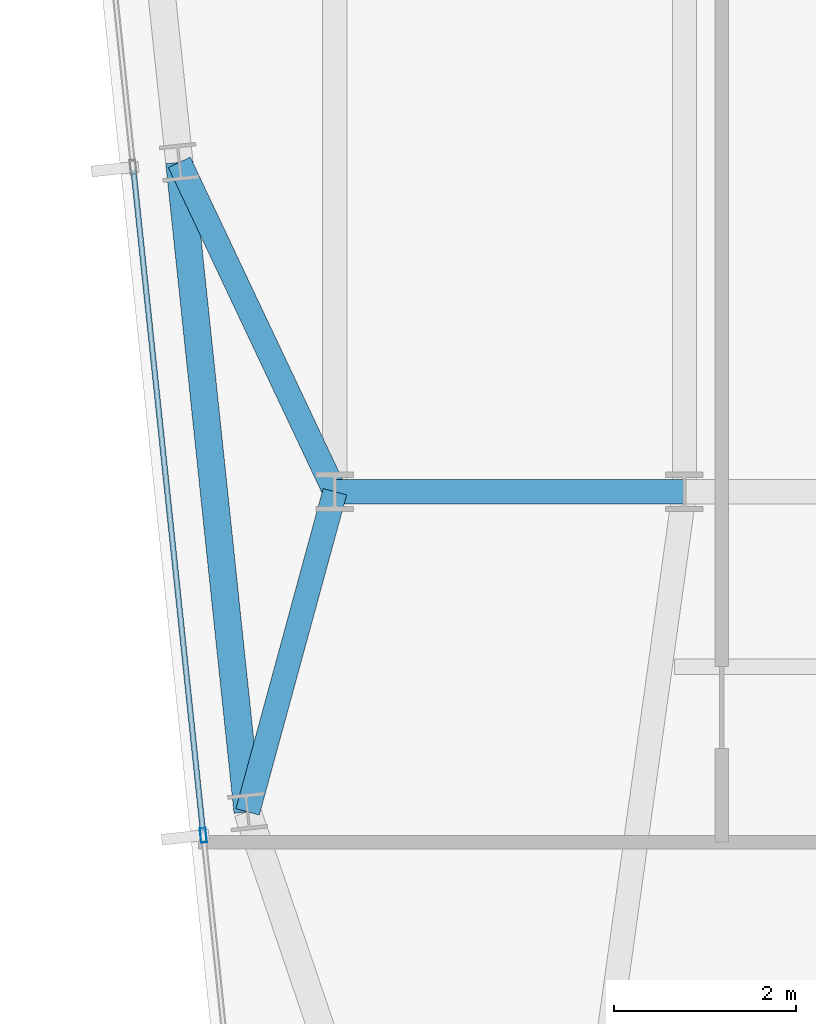
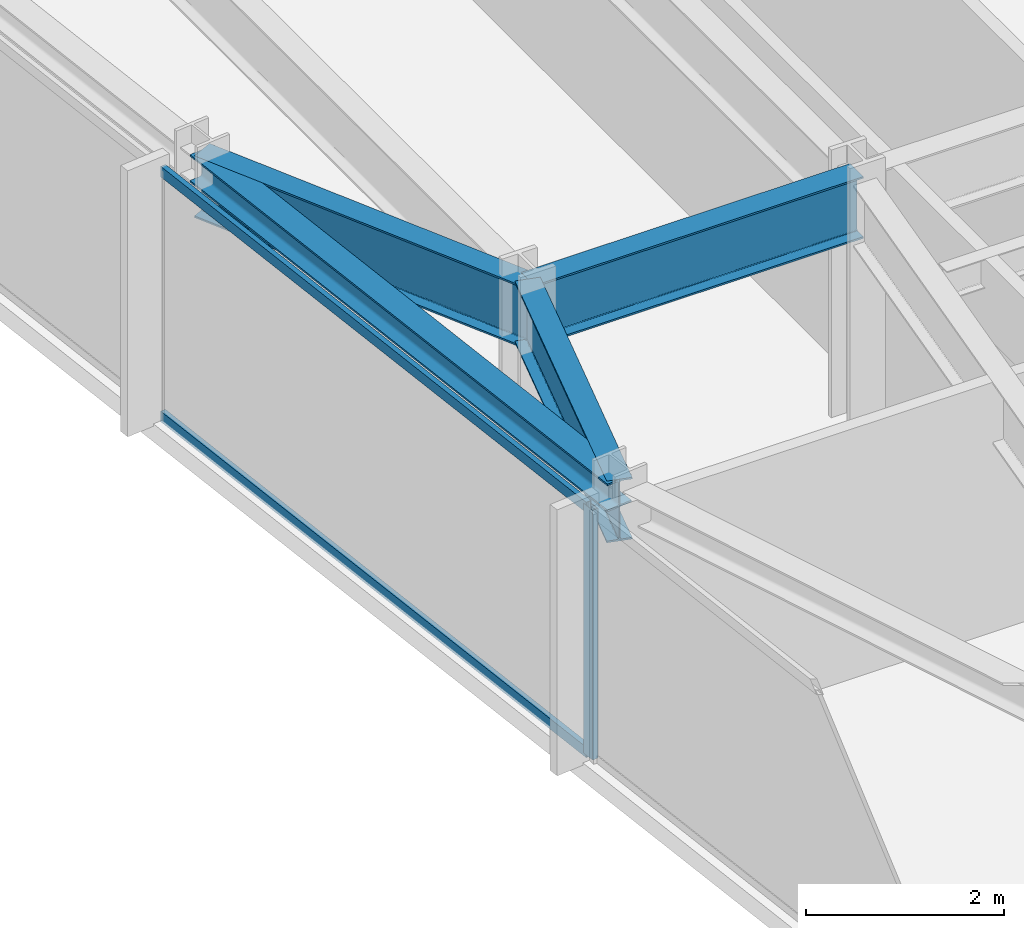
# One storey, part 5 of 33: 4 beams, 3 members, 1 element without a shape of its own.
"""IFC4 building model written with IfcOpenShell, lengths in metres."""

from ifc_helpers import new_model, si_unit, direction, frame, origin, origin_2d, place, context, subcontext, project, spatial, hollow_rectangle, i_section, extrude, material, material_profile, profile_set, type_object, element, aggregate, save


model = new_model("IFC4")

# Units and contexts
model_context = context("Model", 3, precision=1e-05, world=origin(), true_north=direction((0.0, 1.0)))
body_context = subcontext(model_context, "Body", "Model", "MODEL_VIEW")
ifc_project = project(units=[si_unit("LENGTHUNIT", "METRE"), si_unit("AREAUNIT", "SQUARE_METRE"), si_unit("VOLUMEUNIT", "CUBIC_METRE"), si_unit("PLANEANGLEUNIT", "RADIAN"), si_unit("MASSUNIT", "GRAM", prefix="KILO")], contexts=[model_context])

# Site, building, storey
site_placement = place(None, origin())
site = spatial("IfcSite", under=ifc_project, at=site_placement, CompositionType="ELEMENT")
building_placement = place(site_placement, origin())
building = spatial("IfcBuilding", under=site, at=building_placement, Name="Yelkora Congress Tower", CompositionType="ELEMENT")
storey_placement = place(building_placement, frame((0.0, 0.0, 230.89990234375)))
storey = spatial("IfcBuildingStorey", under=building, at=storey_placement, Name="L64", CompositionType="ELEMENT", Elevation=230.89990234375)

# Beams
ifc_material_1 = material(Name="Steel S355J2", Category="steel")
ifc_material_profile_1 = material_profile(ifc_material_1, i_section(OverallWidth=0.26708984375, OverallDepth=0.761962890625, WebThickness=0.014404296875, FlangeThickness=0.021484375, FilletRadius=0.01708984375, at=origin_2d()), Name="IPE 750x173")
ifc_profile_set_1 = profile_set([ifc_material_profile_1], Name="Steel S355J2")
beam_type_1 = type_object("IfcBeamType", Name="BM-GIRD-IPE750", PredefinedType="BEAM", material=ifc_profile_set_1)
beam_1_placement = place(storey_placement, frame((19.199951171875, 25.199951171875, 2.69921875), z_axis=(1.0, 0.0, 0.0), x_axis=(0.0, 1.0, 0.0)))
element("IfcBeam", 1, at=beam_1_placement, inside=storey, type_object=beam_type_1, Name="L64 Spine Grid D Girder 1", PredefinedType="BEAM", context=body_context, shape_type="SweptSolid", body=[
    extrude(i_section(OverallWidth=0.26708984375, OverallDepth=0.761962890625, WebThickness=0.014404296875, FlangeThickness=0.021484375, FilletRadius=0.01708984375, at=origin_2d()), origin(), (0.0, 0.0, 1.0), 3.840087890625),
])
beam_2_placement = place(storey_placement, frame((18.2412109375, 21.68310546875, 2.69921875), z_axis=(0.263015394472, 0.964791636713, 0.0), x_axis=(-0.964791636713, 0.263015394472, 0.0)))
element("IfcBeam", 2, at=beam_2_placement, inside=storey, type_object=beam_type_1, Name="L64 Primary Frame Girder W01", PredefinedType="BEAM", context=body_context, shape_type="SweptSolid", body=[
    extrude(i_section(OverallWidth=0.26708984375, OverallDepth=0.761962890625, WebThickness=0.014404296875, FlangeThickness=0.021484375, FilletRadius=0.01708984375, at=origin_2d()), origin(), (0.0, 0.0, 1.0), 3.645263671875),
])
beam_3_placement = place(storey_placement, frame((17.4912109375, 28.81884765625, 2.69921875), z_axis=(0.426968894221, -0.904266312193, 0.0), x_axis=(0.904266312193, 0.426968894221, 0.0)))
element("IfcBeam", 3, at=beam_3_placement, inside=storey, type_object=beam_type_1, Name="L64 Primary Frame Girder W02", PredefinedType="BEAM", context=body_context, shape_type="SweptSolid", body=[
    extrude(i_section(OverallWidth=0.26708984375, OverallDepth=0.761962890625, WebThickness=0.014404296875, FlangeThickness=0.021484375, FilletRadius=0.01708984375, at=origin_2d()), origin(), (0.0, 0.0, 1.0), 4.001953125),
])
ifc_material_profile_2 = material_profile(ifc_material_1, i_section(OverallWidth=0.300048828125, OverallDepth=0.340087890625, WebThickness=0.011962890625, FlangeThickness=0.021484375, FilletRadius=0.027099609375, at=origin_2d()), Name="HEB 340")
ifc_profile_set_2 = profile_set([ifc_material_profile_2], Name="Steel S355J2")
beam_type_2 = type_object("IfcBeamType", Name="BM-SPAN-HEB340", PredefinedType="SPANDREL", material=ifc_profile_set_2)
beam_4_placement = place(storey_placement, frame((17.4912109375, 28.81884765625, 2.91015625), z_axis=(0.104528914631, -0.994521847928, 0.0), x_axis=(0.994521847928, 0.104528914631, 0.0)))
element("IfcBeam", 4, at=beam_4_placement, inside=storey, type_object=beam_type_2, Name="L64 Perimeter Beam 1", PredefinedType="SPANDREL", context=body_context, shape_type="SweptSolid", body=[
    extrude(i_section(OverallWidth=0.300048828125, OverallDepth=0.340087890625, WebThickness=0.011962890625, FlangeThickness=0.021484375, FilletRadius=0.027099609375, at=origin_2d()), origin(), (0.0, 0.0, 1.0), 7.175048828125),
])

# Curtain wall, members
ifc_material_2 = material(Name="Anodised aluminium and insulated glass", Category="aluminium")
curtain_wall_type = type_object("IfcCurtainWallType", Name="CW-SYS-B4", PredefinedType="NOTDEFINED", material=ifc_material_2)
curtain_wall_placement = place(storey_placement, origin())
curtain_wall = element("IfcCurtainWall", 5, at=curtain_wall_placement, inside=storey, type_object=curtain_wall_type, Name="L64 Unitised Curtain Wall 5", PredefinedType="NOTDEFINED")
ifc_material_3 = material(Name="Anodised aluminium 6063-T6", Category="aluminium")
ifc_material_profile_3 = material_profile(ifc_material_3, hollow_rectangle(XDim=0.06494140625, YDim=0.159912109375, WallThickness=0.00390625, at=origin_2d()), Name="ALU 65x160x4")
ifc_profile_set_3 = profile_set([ifc_material_profile_3], Name="Anodised aluminium 6063-T6")
member_type_1 = type_object("IfcMemberType", Name="MEM-ML-B4", PredefinedType="MULLION", material=ifc_profile_set_3)
member_1_placement = place(storey_placement, frame((17.75537109375, 21.426025390625, 0.0), z_axis=(0.0, 0.0, 1.0), x_axis=(-0.994522145958, -0.104526079034, 0.0)))
member_1 = element("IfcMember", 6, at=member_1_placement, type_object=member_type_1, Name="CW-B4 mullion 2", PredefinedType="MULLION", context=body_context, shape_type="SweptSolid", body=[
    extrude(hollow_rectangle(XDim=0.06494140625, YDim=0.159912109375, WallThickness=0.00390625, at=origin_2d()), origin(), (0.0, 0.0, 1.0), 3.080078125),
])
ifc_material_profile_4 = material_profile(ifc_material_3, hollow_rectangle(XDim=0.06005859375, YDim=0.1298828125, WallThickness=0.00390625, at=origin_2d()), Name="ALU 60x130x4")
ifc_profile_set_4 = profile_set([ifc_material_profile_4], Name="Anodised aluminium 6063-T6")
member_type_2 = type_object("IfcMemberType", Name="MEM-TR-B4", PredefinedType="USERDEFINED", material=ifc_profile_set_4)
member_2_placement = place(storey_placement, frame((17.751953125, 21.458251953125, 0.030029296875), z_axis=(-0.104528426736, 0.994521899208, 0.0), x_axis=(-0.994521899208, -0.104528426736, 0.0)))
member_2 = element("IfcMember", 7, at=member_2_placement, type_object=member_type_2, Name="CW-B4 transom 2.1", ObjectType="TRANSOM", PredefinedType="USERDEFINED", context=body_context, shape_type="SweptSolid", body=[
    extrude(hollow_rectangle(XDim=0.06005859375, YDim=0.1298828125, WallThickness=0.00390625, at=origin_2d()), origin(), (0.0, 0.0, 1.0), 7.315185546875),
])
member_3_placement = place(storey_placement, frame((17.751953125, 21.458251953125, 3.050048828125), z_axis=(-0.104528426736, 0.994521899208, 0.0), x_axis=(-0.994521899208, -0.104528426736, 0.0)))
member_3 = element("IfcMember", 8, at=member_3_placement, type_object=member_type_2, Name="CW-B4 transom 2.2", ObjectType="TRANSOM", PredefinedType="USERDEFINED", context=body_context, shape_type="SweptSolid", body=[
    extrude(hollow_rectangle(XDim=0.06005859375, YDim=0.1298828125, WallThickness=0.00390625, at=origin_2d()), origin(), (0.0, 0.0, 1.0), 7.315185546875),
])
aggregate(curtain_wall, [member_1, member_2, member_3])

save(model, "model.ifc")
